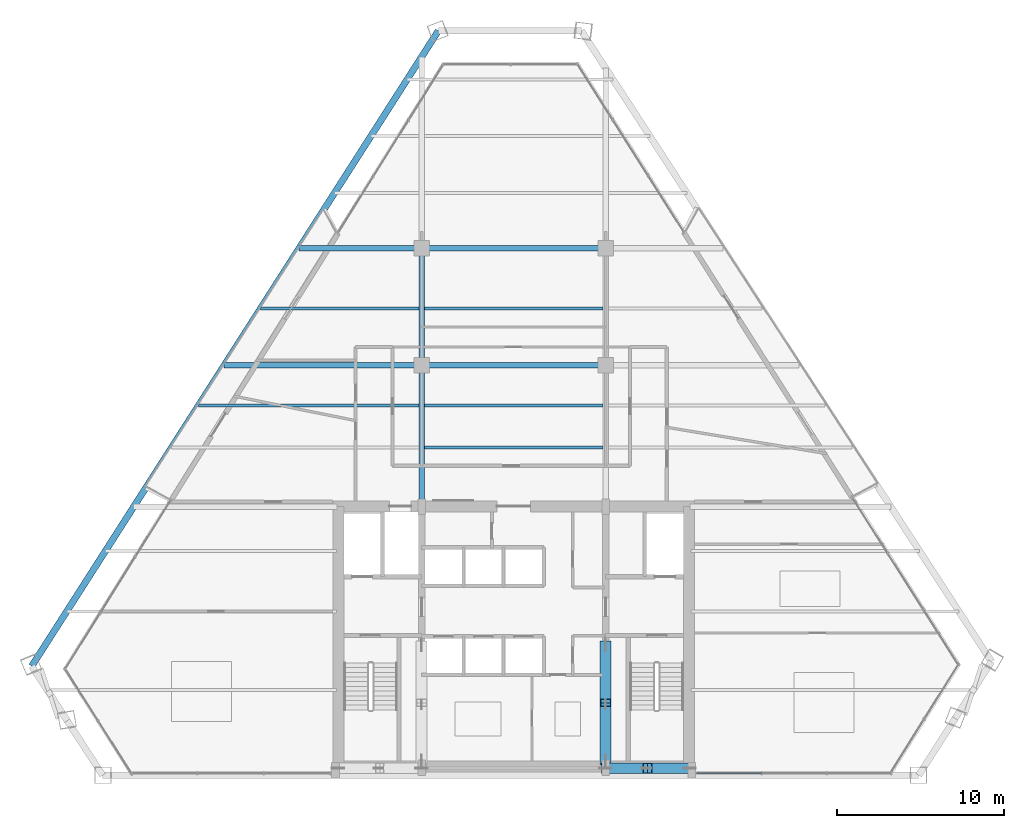
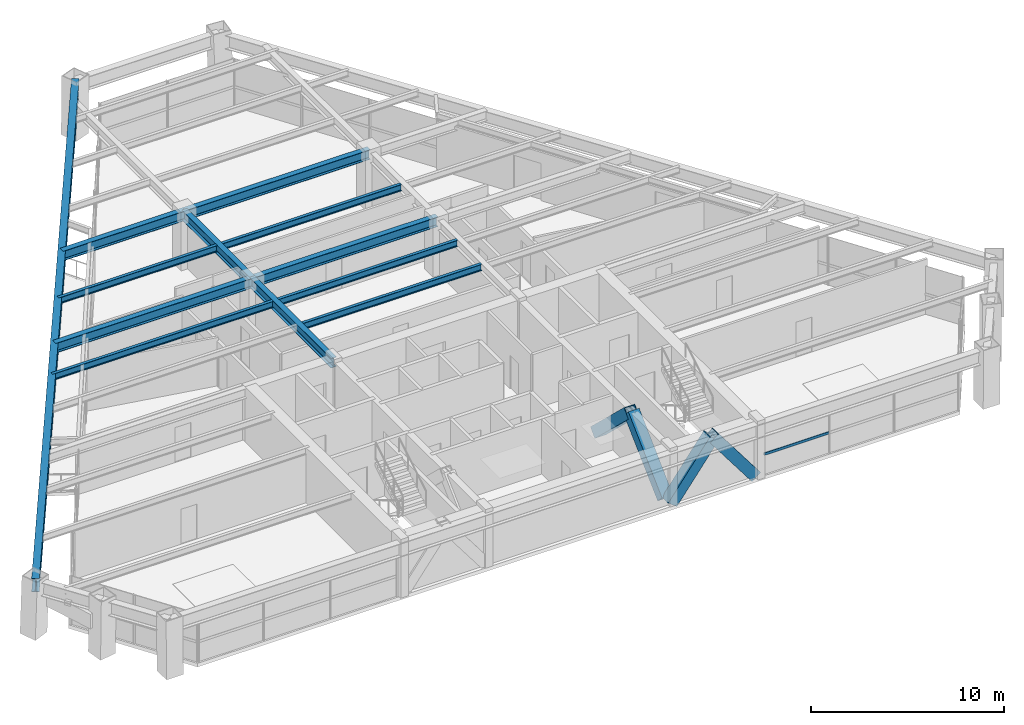
# One storey, part 5 of 15: 12 beams, 5 members, 1 element without a shape of its own.
"""IFC4 building model written with IfcOpenShell, lengths in metres."""

from ifc_helpers import new_model, si_unit, direction, frame, origin, origin_2d, place, context, subcontext, project, spatial, rectangle, hollow_rectangle, i_section, extrude, source, transform, mapped, material, material_profile, profile_set, type_object, type_shapes, element, aggregate, save


model = new_model("IFC4")

# Units and contexts
model_context = context("Model", 3, precision=1e-05, world=origin(), true_north=direction((0.0, 1.0)))
body_context = subcontext(model_context, "Body", "Model", "MODEL_VIEW")
ifc_project = project(units=[si_unit("LENGTHUNIT", "METRE"), si_unit("AREAUNIT", "SQUARE_METRE"), si_unit("VOLUMEUNIT", "CUBIC_METRE"), si_unit("PLANEANGLEUNIT", "RADIAN"), si_unit("MASSUNIT", "GRAM", prefix="KILO")], contexts=[model_context])

# Site, building, storey
site_placement = place(None, origin())
site = spatial("IfcSite", under=ifc_project, at=site_placement, CompositionType="ELEMENT")
building_placement = place(site_placement, origin())
building = spatial("IfcBuilding", under=site, at=building_placement, Name="Varnakhor Terracotta Tower", CompositionType="ELEMENT")
storey_placement = place(building_placement, frame((0.0, 0.0, 178.39990234375)))
storey = spatial("IfcBuildingStorey", under=building, at=storey_placement, Name="L45", CompositionType="ELEMENT", Elevation=178.39990234375)

# Beams
ifc_material_1 = material(Name="Steel S355", Category="steel")
ifc_material_profile_1 = material_profile(ifc_material_1, i_section(OverallWidth=0.324951171875, OverallDepth=0.615966796875, WebThickness=0.013916015625, FlangeThickness=0.02197265625, FilletRadius=0.01806640625, at=origin_2d()), Name="W24X117")
ifc_profile_set_1 = profile_set([ifc_material_profile_1], Name="Steel S355")
beam_type_1 = type_object("IfcBeamType", Name="BM-W24X117", PredefinedType="BEAM", material=ifc_profile_set_1)
shared_shape_1 = source(origin(), body_context, "Body", "SweptSolid", [
    extrude(i_section(OverallWidth=0.324951171875, OverallDepth=0.615966796875, WebThickness=0.013916015625, FlangeThickness=0.02197265625, FilletRadius=0.01806640625, at=origin_2d()), origin(), (0.0, 0.0, 1.0), 8.449951171875),
])
type_shapes(beam_type_1, [shared_shape_1])
beam_1_placement = place(storey_placement, frame((-5.5, 16.050048828125, 3.162109375), z_axis=(0.0, 1.0, 0.0), x_axis=(-1.0, 0.0, 0.0)))
element("IfcBeam", 1, at=beam_1_placement, inside=storey, type_object=beam_type_1, Name="L45 Primary Girder NS1-W", PredefinedType="BEAM", context=body_context, shape_type="MappedRepresentation", body=[
    mapped(shared_shape_1, transform((0.0, 0.0, 0.0), scale=1.0)),
])
shared_shape_2 = source(origin(), body_context, "Body", "SweptSolid", [
    extrude(i_section(OverallWidth=0.324951171875, OverallDepth=0.615966796875, WebThickness=0.013916015625, FlangeThickness=0.02197265625, FilletRadius=0.01806640625, at=origin_2d()), origin(), (0.0, 0.0, 1.0), 7.0),
])
beam_2_placement = place(storey_placement, frame((-5.5, 24.5, 3.162109375), z_axis=(0.0, 1.0, 0.0), x_axis=(-1.0, 0.0, 0.0)))
element("IfcBeam", 2, at=beam_2_placement, inside=storey, type_object=beam_type_1, Name="L45 Primary Girder NS2-W", PredefinedType="BEAM", context=body_context, shape_type="MappedRepresentation", body=[
    mapped(shared_shape_2, transform((0.0, 0.0, 0.0), scale=1.0)),
])
shared_shape_3 = source(origin(), body_context, "Body", "SweptSolid", [
    extrude(i_section(OverallWidth=0.324951171875, OverallDepth=0.615966796875, WebThickness=0.013916015625, FlangeThickness=0.02197265625, FilletRadius=0.01806640625, at=origin_2d()), origin(), (0.0, 0.0, 1.0), 11.0),
])
for number, where, z_axis, x_axis, name in (
    (3, (-5.5, 24.5, 3.162109375), (1.0, 0.0, 0.0), (0.0, 1.0, 0.0), "L45 Primary Girder EW2-2"),
    (4, (-5.5, 31.5, 3.162109375), (1.0, 0.0, 0.0), (0.0, 1.0, 0.0), "L45 Primary Girder EW3-2"),
):
    element("IfcBeam", number, at=place(storey_placement, frame(where, z_axis=z_axis, x_axis=x_axis)), inside=storey, type_object=beam_type_1, Name=name, PredefinedType="BEAM", context=body_context, shape_type="MappedRepresentation", body=[
        mapped(shared_shape_3, transform((0.0, 0.0, 0.0), scale=1.0)),
    ])
ifc_material_profile_2 = material_profile(ifc_material_1, i_section(OverallWidth=0.179931640625, OverallDepth=0.4130859375, WebThickness=0.009765625, FlangeThickness=0.01611328125, FilletRadius=0.01806640625, at=origin_2d()), Name="W16X50")
ifc_profile_set_2 = profile_set([ifc_material_profile_2], Name="Steel S355")
beam_type_2 = type_object("IfcBeamType", Name="JST-W16X50", PredefinedType="JOIST", material=ifc_profile_set_2)
shared_shape_4 = source(origin(), body_context, "Body", "SweptSolid", [
    extrude(i_section(OverallWidth=0.179931640625, OverallDepth=0.4130859375, WebThickness=0.009765625, FlangeThickness=0.01611328125, FilletRadius=0.01806640625, at=origin_2d()), origin(), (0.0, 0.0, 1.0), 10.68310546875),
])
for number, where, z_axis, x_axis, name in (
    (5, (-5.341552734375, 19.60009765625, 3.263671875), (1.0, 0.0, 0.0), (0.0, 1.0, 0.0), "L45 Composite Floor Joist 4-2"),
    (6, (-5.341552734375, 22.10009765625, 3.263671875), (1.0, 0.0, 0.0), (0.0, 1.0, 0.0), "L45 Composite Floor Joist 5-2"),
    (7, (-5.341552734375, 27.89990234375, 3.263671875), (1.0, 0.0, 0.0), (0.0, 1.0, 0.0), "L45 Composite Floor Joist 6-2"),
):
    element("IfcBeam", number, at=place(storey_placement, frame(where, z_axis=z_axis, x_axis=x_axis)), inside=storey, type_object=beam_type_2, Name=name, PredefinedType="JOIST", context=body_context, shape_type="MappedRepresentation", body=[
        mapped(shared_shape_4, transform((0.0, 0.0, 0.0), scale=1.0)),
    ])

# Members
ifc_material_2 = material(Name="Steel S460", Category="steel")
ifc_material_profile_3 = material_profile(ifc_material_2, hollow_rectangle(XDim=0.64990234375, YDim=0.64990234375, WallThickness=0.0400390625, at=origin_2d()), Name="HSS650X650X40")
ifc_profile_set_3 = profile_set([ifc_material_profile_3], Name="Steel S460")
member_type_1 = type_object("IfcMemberType", Name="MBR-MEGA-650", PredefinedType="BRACE", material=ifc_profile_set_3)
shared_shape_5 = source(origin(), body_context, "Body", "SweptSolid", [
    extrude(hollow_rectangle(XDim=0.64990234375, YDim=0.64990234375, WallThickness=0.0400390625, at=origin_2d()), origin(), (0.0, 0.0, 1.0), 4.805908203125),
])
member_1_placement = place(storey_placement, frame((5.5, 0.85009765625, 0.0), z_axis=(0.0, 0.723026776832, 0.69082000549), x_axis=(-1.0, 0.0, 0.0)))
element("IfcMember", 8, at=member_1_placement, inside=storey, type_object=member_type_1, Name="L45 Core Coupled Brace CWEA", PredefinedType="BRACE", context=body_context, shape_type="MappedRepresentation", body=[
    mapped(shared_shape_5, transform((0.0, 0.0, 0.0), scale=1.0)),
])
shared_shape_6 = source(origin(), body_context, "Body", "SweptSolid", [
    extrude(hollow_rectangle(XDim=0.64990234375, YDim=0.64990234375, WallThickness=0.0400390625, at=origin_2d()), origin(), (0.0, 0.0, 1.0), 4.156005859375),
])
for number, where, z_axis, x_axis, name in (
    (9, (5.5, 0.419921875, 0.0), (0.601530923869, 0.0, 0.798849515009), (0.0, 1.0, 0.0), "L45 Core Coupled Brace CSEA"),
    (10, (10.5, 0.419921875, 0.0), (-0.601530923869, 0.0, 0.798849515009), (0.0, -1.0, 0.0), "L45 Core Coupled Brace CSEB"),
):
    element("IfcMember", number, at=place(storey_placement, frame(where, z_axis=z_axis, x_axis=x_axis)), inside=storey, type_object=member_type_1, Name=name, PredefinedType="BRACE", context=body_context, shape_type="MappedRepresentation", body=[
        mapped(shared_shape_6, transform((0.0, 0.0, 0.0), scale=1.0)),
    ])
shared_shape_7 = source(origin(), body_context, "Body", "SweptSolid", [
    extrude(hollow_rectangle(XDim=0.64990234375, YDim=0.64990234375, WallThickness=0.0400390625, at=origin_2d()), origin(), (0.0, 0.0, 1.0), 4.80615234375),
])
member_2_placement = place(storey_placement, frame((5.5, 7.800048828125, 0.0), z_axis=(0.0, -0.723051018573, 0.690794632681), x_axis=(1.0, 0.0, 0.0)))
element("IfcMember", 11, at=member_2_placement, inside=storey, type_object=member_type_1, Name="L45 Core Coupled Brace CWEB", PredefinedType="BRACE", context=body_context, shape_type="MappedRepresentation", body=[
    mapped(shared_shape_7, transform((0.0, 0.0, 0.0), scale=1.0)),
])

# Beams
ifc_material_profile_4 = material_profile(ifc_material_1, i_section(OverallWidth=0.39990234375, OverallDepth=0.85498046875, WebThickness=0.01806640625, FlangeThickness=0.029052734375, FilletRadius=0.01806640625, at=origin_2d()), Name="W33X201")
ifc_profile_set_4 = profile_set([ifc_material_profile_4], Name="Steel S355")
beam_type_3 = type_object("IfcBeamType", Name="BM-W33X201", PredefinedType="BEAM", material=ifc_profile_set_4)
shared_shape_8 = source(origin(), body_context, "Body", "SweptSolid", [
    extrude(i_section(OverallWidth=0.39990234375, OverallDepth=0.85498046875, WebThickness=0.01806640625, FlangeThickness=0.029052734375, FilletRadius=0.01806640625, at=origin_2d()), origin(), (0.0, 0.0, 1.0), 45.0927734375),
])
beam_3_placement = place(storey_placement, frame((-4.502685546875, 44.503662109375, 3.04248046875), z_axis=(-0.539031418776, -0.842285657941, 0.0), x_axis=(0.842285657941, -0.539031418776, 0.0)))
element("IfcBeam", 12, at=beam_3_placement, inside=storey, type_object=beam_type_3, Name="L45 Perimeter Spandrel 6", PredefinedType="BEAM", context=body_context, shape_type="MappedRepresentation", body=[
    mapped(shared_shape_8, transform((0.0, 0.0, 0.0), scale=1.0)),
])
shared_shape_9 = source(origin(), body_context, "Body", "SweptSolid", [
    extrude(i_section(OverallWidth=0.324951171875, OverallDepth=0.615966796875, WebThickness=0.013916015625, FlangeThickness=0.02197265625, FilletRadius=0.01806640625, at=origin_2d()), origin(), (0.0, 0.0, 1.0), 11.80419921875),
])
beam_4_placement = place(storey_placement, frame((-17.30419921875, 24.5, 3.162109375), z_axis=(1.0, 0.0, 0.0), x_axis=(0.0, 1.0, 0.0)))
element("IfcBeam", 13, at=beam_4_placement, inside=storey, type_object=beam_type_1, Name="L45 Primary Girder EW2-1", PredefinedType="BEAM", context=body_context, shape_type="MappedRepresentation", body=[
    mapped(shared_shape_9, transform((0.0, 0.0, 0.0), scale=1.0)),
])
shared_shape_10 = source(origin(), body_context, "Body", "SweptSolid", [
    extrude(i_section(OverallWidth=0.324951171875, OverallDepth=0.615966796875, WebThickness=0.013916015625, FlangeThickness=0.02197265625, FilletRadius=0.01806640625, at=origin_2d()), origin(), (0.0, 0.0, 1.0), 7.32470703125),
])
beam_5_placement = place(storey_placement, frame((-12.82470703125, 31.5, 3.162109375), z_axis=(1.0, 0.0, 0.0), x_axis=(0.0, 1.0, 0.0)))
element("IfcBeam", 14, at=beam_5_placement, inside=storey, type_object=beam_type_1, Name="L45 Primary Girder EW3-1", PredefinedType="BEAM", context=body_context, shape_type="MappedRepresentation", body=[
    mapped(shared_shape_10, transform((0.0, 0.0, 0.0), scale=1.0)),
])
shared_shape_11 = source(origin(), body_context, "Body", "SweptSolid", [
    extrude(i_section(OverallWidth=0.179931640625, OverallDepth=0.4130859375, WebThickness=0.009765625, FlangeThickness=0.01611328125, FilletRadius=0.01806640625, at=origin_2d()), origin(), (0.0, 0.0, 1.0), 13.181640625),
])
beam_6_placement = place(storey_placement, frame((-18.840087890625, 22.10009765625, 3.263671875), z_axis=(1.0, 0.0, 0.0), x_axis=(0.0, 1.0, 0.0)))
element("IfcBeam", 15, at=beam_6_placement, inside=storey, type_object=beam_type_2, Name="L45 Composite Floor Joist 5-1", PredefinedType="JOIST", context=body_context, shape_type="MappedRepresentation", body=[
    mapped(shared_shape_11, transform((0.0, 0.0, 0.0), scale=1.0)),
])
shared_shape_12 = source(origin(), body_context, "Body", "SweptSolid", [
    extrude(i_section(OverallWidth=0.179931640625, OverallDepth=0.4130859375, WebThickness=0.009765625, FlangeThickness=0.01611328125, FilletRadius=0.01806640625, at=origin_2d()), origin(), (0.0, 0.0, 1.0), 9.469970703125),
])
beam_7_placement = place(storey_placement, frame((-15.12841796875, 27.89990234375, 3.263671875), z_axis=(1.0, 0.0, 0.0), x_axis=(0.0, 1.0, 0.0)))
element("IfcBeam", 16, at=beam_7_placement, inside=storey, type_object=beam_type_2, Name="L45 Composite Floor Joist 6-1", PredefinedType="JOIST", context=body_context, shape_type="MappedRepresentation", body=[
    mapped(shared_shape_12, transform((0.0, 0.0, 0.0), scale=1.0)),
])

# Curtain wall, member
ifc_material_3 = material(Name="Anodised Aluminium Curtain Wall System", Category="aluminium")
curtain_wall_type = type_object("IfcCurtainWallType", Name="CW-SYS-MID-OFFICE", PredefinedType="NOTDEFINED", material=ifc_material_3)
curtain_wall_placement = place(storey_placement, origin())
curtain_wall = element("IfcCurtainWall", 17, at=curtain_wall_placement, inside=storey, type_object=curtain_wall_type, Name="L45 South Wing Curtain Wall SSE", PredefinedType="NOTDEFINED")
ifc_material_4 = material(Name="Anodised Aluminium 6063-T6", Category="aluminium")
ifc_material_profile_5 = material_profile(ifc_material_4, rectangle(XDim=0.070068359375, YDim=0.155029296875, at=origin_2d()), Name="ALU TRANSOM 70x155")
ifc_profile_set_5 = profile_set([ifc_material_profile_5], Name="Anodised Aluminium 6063-T6")
member_type_2 = type_object("IfcMemberType", Name="CWT-03", PredefinedType="USERDEFINED", material=ifc_profile_set_5)
shared_shape_13 = source(origin(), body_context, "Body", "SweptSolid", [
    extrude(rectangle(XDim=0.070068359375, YDim=0.155029296875, at=origin_2d()), origin(), (0.0, 0.0, 1.0), 3.869384765625),
])
member_3_placement = place(storey_placement, frame((14.83935546875, 0.1201171875, 1.281005859375), z_axis=(-1.0, 0.0, 0.0), x_axis=(0.0, -1.0, 0.0)))
member_3 = element("IfcMember", 18, at=member_3_placement, type_object=member_type_2, Name="L45 South Wing Curtain Wall SSE Transom 3", ObjectType="TRANSOM", PredefinedType="USERDEFINED", context=body_context, shape_type="MappedRepresentation", body=[
    mapped(shared_shape_13, transform((0.0, 0.0, 0.0), scale=1.0)),
])
aggregate(curtain_wall, [member_3])

save(model, "model.ifc")
